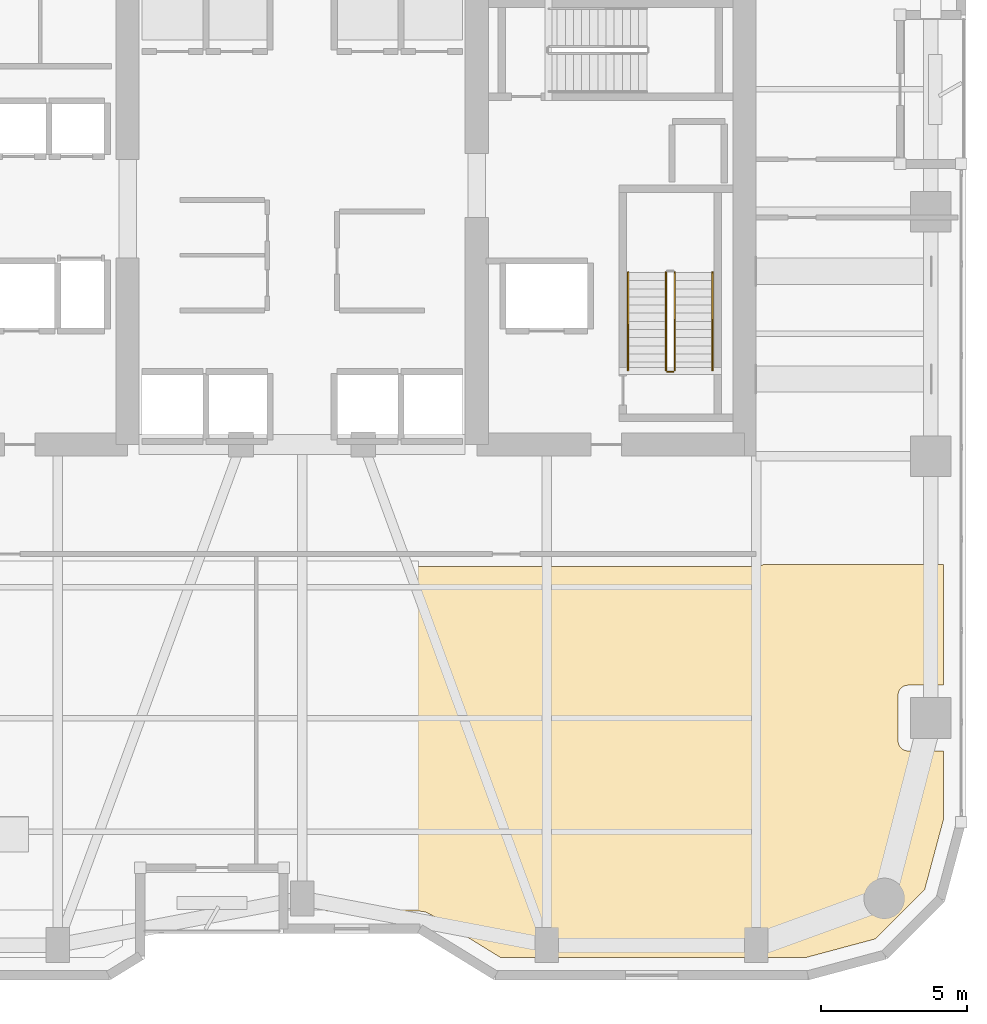
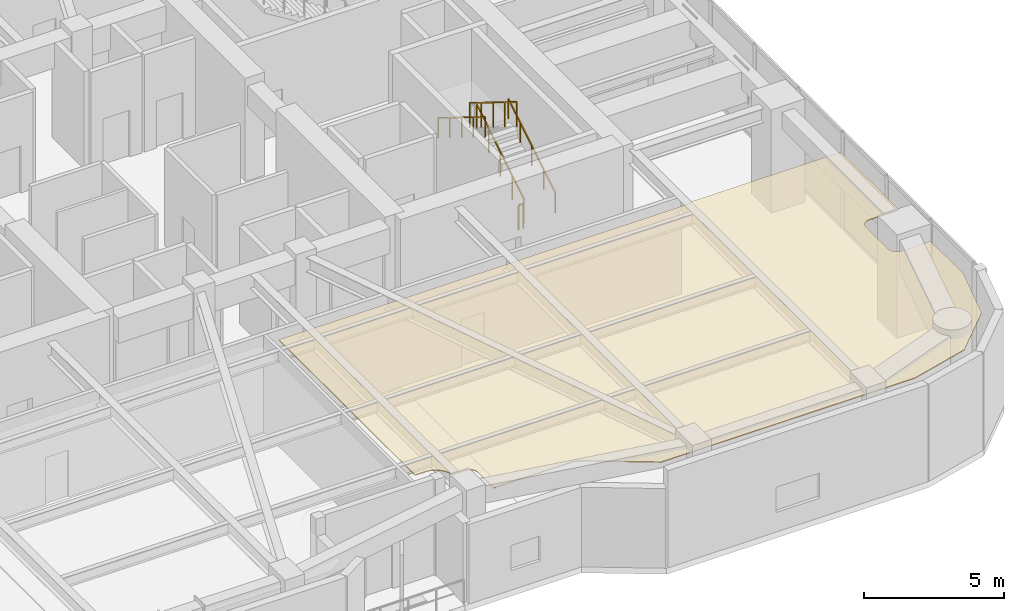
# One storey, part 20 of 23: 5 railings, 1 covering.
"""IFC4 building model written with IfcOpenShell, lengths in metres."""

from ifc_helpers import new_model, si_unit, direction, frame, origin, origin_2d, place, context, subcontext, project, spatial, polyline, rectangle, outline, extrude, material, layer, layer_set, type_object, element, save


model = new_model("IFC4")

# Units and contexts
model_context = context("Model", 3, precision=1e-05, world=origin(), true_north=direction((0.0, 1.0)))
body_context = subcontext(model_context, "Body", "Model", "MODEL_VIEW")
ifc_project = project(units=[si_unit("LENGTHUNIT", "METRE"), si_unit("AREAUNIT", "SQUARE_METRE"), si_unit("VOLUMEUNIT", "CUBIC_METRE"), si_unit("PLANEANGLEUNIT", "RADIAN"), si_unit("MASSUNIT", "GRAM", prefix="KILO")], contexts=[model_context])

# Site, building, storey
site_placement = place(None, origin())
site = spatial("IfcSite", under=ifc_project, at=site_placement, CompositionType="ELEMENT")
building_placement = place(site_placement, origin())
building = spatial("IfcBuilding", under=site, at=building_placement, Name="Kiyonajd Concourse Tower", CompositionType="ELEMENT")
storey_placement = place(building_placement, frame((0.0, 0.0, 120.89990234375)))
storey = spatial("IfcBuildingStorey", under=building, at=storey_placement, Name="L31", CompositionType="ELEMENT", Elevation=120.89990234375)

# Covering
ifc_material_1 = material(Name="Natural Oak Acoustic Timber Veneer", Category="wood")
ifc_layer = layer(ifc_material_1, 0.0400390625)
ifc_layer_set = layer_set([ifc_layer], Name="Natural Oak Acoustic Timber Veneer")
covering_type = type_object("IfcCoveringType", Name="CV-CLG-ACST", PredefinedType="CEILING", material=ifc_layer_set)
covering_placement = place(storey_placement, frame((0.0, 0.0, 4.06005859375)))
element("IfcCovering", 1, at=covering_placement, inside=storey, type_object=covering_type, Name="L31-45 Room Acoustic Ceiling", PredefinedType="CEILING", context=body_context, shape_type="SweptSolid", body=[
    extrude(outline(polyline([(48.830078125, 11.969970703125), (48.827880859375, 13.114013671875), (48.802978515625, 13.214111328125), (48.77099609375, 13.27392578125), (48.72705078125, 13.326904296875), (48.674072265625, 13.37109375), (48.614013671875, 13.403076171875), (48.513916015625, 13.427978515625), (47.958984375, 13.429931640625), (47.94189453125, 13.507080078125), (47.907958984375, 13.60400390625), (47.85693359375, 13.699951171875), (47.784912109375, 13.801025390625), (47.73193359375, 13.85693359375), (47.658935546875, 13.9169921875), (47.551025390625, 13.985107421875), (47.47900390625, 14.01708984375), (47.406982421875, 14.0419921875), (47.2919921875, 14.06396484375), (46.7900390625, 14.069091796875), (46.7900390625, 23.800048828125), (63.60009765625, 23.800048828125), (63.72998046875, 23.820068359375), (63.79296875, 23.845947265625), (63.847900390625, 23.8798828125), (70.030029296875, 23.8798828125), (70.030029296875, 19.72998046875), (68.820068359375, 19.72998046875), (68.751953125, 19.722900390625), (68.68603515625, 19.702880859375), (68.6259765625, 19.6708984375), (68.549072265625, 19.60205078125), (68.510986328125, 19.544921875), (68.485107421875, 19.48193359375), (68.469970703125, 19.3798828125), (68.469970703125, 17.820068359375), (68.485107421875, 17.718017578125), (68.510986328125, 17.655029296875), (68.549072265625, 17.597900390625), (68.597900390625, 17.549072265625), (68.655029296875, 17.510986328125), (68.718017578125, 17.485107421875), (68.785888671875, 17.471923828125), (70.030029296875, 17.469970703125), (70.030029296875, 15.10107421875), (69.385986328125, 12.697998046875), (67.701904296875, 11.013916015625), (65.299072265625, 10.3701171875), (54.818115234375, 10.3701171875), (52.403076171875, 11.85595703125), (52.277099609375, 11.9189453125), (52.173095703125, 11.949951171875), (52.0, 11.969970703125), (48.830078125, 11.969970703125)])), origin(), (0.0, 0.0, 1.0), 0.0400390625),
])

# Railings
ifc_material_2 = material(Name="Steel ASTM A500 Grade C", Category="steel")
railing_type_1 = type_object("IfcRailingType", Name="RL-GRD-STR", PredefinedType="GUARDRAIL", material=ifc_material_2)
railing_1_placement = place(storey_placement, frame((60.800048828125, 30.550048828125, 0.173095703125)))
element("IfcRailing", 2, at=railing_1_placement, inside=storey, type_object=railing_type_1, Name="L31 ST2 stair guard 1", PredefinedType="GUARDRAIL", context=body_context, shape_type="SweptSolid", body=[
    extrude(rectangle(XDim=0.048095703125, YDim=0.048095703125, at=origin_2d()), frame((0.0, 0.0, 1.076171875), z_axis=(0.0, 0.850606129759, 0.525803396734), x_axis=(-1.0, 0.0, 0.0)), (0.0, 0.0, 1.0), 3.949951171875),
    extrude(rectangle(XDim=0.0419921875, YDim=0.0419921875, at=origin_2d()), origin(), (0.0, 0.0, 1.0), 1.052001953125),
    extrude(rectangle(XDim=0.0419921875, YDim=0.0419921875, at=origin_2d()), frame((0.0, 0.83984375, 0.519287109375)), (0.0, 0.0, 1.0), 1.052001953125),
    extrude(rectangle(XDim=0.0419921875, YDim=0.0419921875, at=origin_2d()), frame((0.0, 1.679931640625, 1.03857421875)), (0.0, 0.0, 1.0), 1.052001953125),
    extrude(rectangle(XDim=0.0419921875, YDim=0.0419921875, at=origin_2d()), frame((0.0, 2.52001953125, 1.5576171875)), (0.0, 0.0, 1.0), 1.052001953125),
    extrude(rectangle(XDim=0.0419921875, YDim=0.0419921875, at=origin_2d()), frame((0.0, 3.35986328125, 2.076904296875)), (0.0, 0.0, 1.0), 1.052001953125),
])
railing_2_placement = place(storey_placement, frame((60.5, 33.909912109375, 2.423095703125)))
element("IfcRailing", 3, at=railing_2_placement, inside=storey, type_object=railing_type_1, Name="L31 ST2 stair guard 3", PredefinedType="GUARDRAIL", context=body_context, shape_type="SweptSolid", body=[
    extrude(rectangle(XDim=0.048095703125, YDim=0.048095703125, at=origin_2d()), frame((0.0, 0.0, 1.076171875), z_axis=(0.0, -0.850606129759, 0.525803396734), x_axis=(1.0, 0.0, 0.0)), (0.0, 0.0, 1.0), 3.949951171875),
    extrude(rectangle(XDim=0.0419921875, YDim=0.0419921875, at=origin_2d()), origin(), (0.0, 0.0, 1.0), 1.052001953125),
    extrude(rectangle(XDim=0.0419921875, YDim=0.0419921875, at=origin_2d()), frame((0.0, -0.83984375, 0.519287109375)), (0.0, 0.0, 1.0), 1.052001953125),
    extrude(rectangle(XDim=0.0419921875, YDim=0.0419921875, at=origin_2d()), frame((0.0, -1.679931640625, 1.03857421875)), (0.0, 0.0, 1.0), 1.052001953125),
    extrude(rectangle(XDim=0.0419921875, YDim=0.0419921875, at=origin_2d()), frame((0.0, -2.52001953125, 1.5576171875)), (0.0, 0.0, 1.0), 1.052001953125),
    extrude(rectangle(XDim=0.0419921875, YDim=0.0419921875, at=origin_2d()), frame((0.0, -3.35986328125, 2.076904296875)), (0.0, 0.0, 1.0), 1.052001953125),
])
railing_3_placement = place(storey_placement, frame((60.75, 30.5, 0.0)))
element("IfcRailing", 4, at=railing_3_placement, inside=storey, type_object=railing_type_1, Name="L31 ST2 stair guard 4", PredefinedType="GUARDRAIL", context=body_context, shape_type="SweptSolid", body=[
    extrude(rectangle(XDim=0.048095703125, YDim=0.048095703125, at=origin_2d()), frame((0.0, 0.0, 1.076171875), z_axis=(-1.0, 0.0, 0.0), x_axis=(0.0, -1.0, 0.0)), (0.0, 0.0, 1.0), 0.199951171875),
    extrude(rectangle(XDim=0.0419921875, YDim=0.0419921875, at=origin_2d()), origin(), (0.0, 0.0, 1.0), 1.052001953125),
    extrude(rectangle(XDim=0.0419921875, YDim=0.0419921875, at=origin_2d()), frame((-0.199951171875, 0.0, 0.0)), (0.0, 0.0, 1.0), 1.052001953125),
])
ifc_material_3 = material(Name="Brushed Stainless Steel Cab Assembly", Category="steel")
railing_type_2 = type_object("IfcRailingType", Name="RL-HND-900", PredefinedType="HANDRAIL", material=ifc_material_3)
railing_4_placement = place(storey_placement, frame((62.10009765625, 30.550048828125, 0.173095703125)))
element("IfcRailing", 5, at=railing_4_placement, inside=storey, type_object=railing_type_2, Name="L31 ST2 stair handrail 1", PredefinedType="HANDRAIL", context=body_context, shape_type="SweptSolid", body=[
    extrude(rectangle(XDim=0.048095703125, YDim=0.048095703125, at=origin_2d()), frame((0.0, 0.0, 0.8759765625), z_axis=(0.0, 0.850606129759, 0.525803396734), x_axis=(-1.0, 0.0, 0.0)), (0.0, 0.0, 1.0), 3.949951171875),
    extrude(rectangle(XDim=0.0419921875, YDim=0.0419921875, at=origin_2d()), origin(), (0.0, 0.0, 1.0), 0.851806640625),
    extrude(rectangle(XDim=0.0419921875, YDim=0.0419921875, at=origin_2d()), frame((0.0, 0.83984375, 0.519287109375)), (0.0, 0.0, 1.0), 0.851806640625),
    extrude(rectangle(XDim=0.0419921875, YDim=0.0419921875, at=origin_2d()), frame((0.0, 1.679931640625, 1.03857421875)), (0.0, 0.0, 1.0), 0.851806640625),
    extrude(rectangle(XDim=0.0419921875, YDim=0.0419921875, at=origin_2d()), frame((0.0, 2.52001953125, 1.5576171875)), (0.0, 0.0, 1.0), 0.851806640625),
    extrude(rectangle(XDim=0.0419921875, YDim=0.0419921875, at=origin_2d()), frame((0.0, 3.35986328125, 2.076904296875)), (0.0, 0.0, 1.0), 0.851806640625),
])
railing_5_placement = place(storey_placement, frame((59.199951171875, 33.909912109375, 2.423095703125)))
element("IfcRailing", 6, at=railing_5_placement, inside=storey, type_object=railing_type_2, Name="L31 ST2 stair handrail 2", PredefinedType="HANDRAIL", context=body_context, shape_type="SweptSolid", body=[
    extrude(rectangle(XDim=0.048095703125, YDim=0.048095703125, at=origin_2d()), frame((0.0, 0.0, 0.8759765625), z_axis=(0.0, -0.850606129759, 0.525803396734), x_axis=(1.0, 0.0, 0.0)), (0.0, 0.0, 1.0), 3.949951171875),
    extrude(rectangle(XDim=0.0419921875, YDim=0.0419921875, at=origin_2d()), origin(), (0.0, 0.0, 1.0), 0.851806640625),
    extrude(rectangle(XDim=0.0419921875, YDim=0.0419921875, at=origin_2d()), frame((0.0, -0.83984375, 0.519287109375)), (0.0, 0.0, 1.0), 0.851806640625),
    extrude(rectangle(XDim=0.0419921875, YDim=0.0419921875, at=origin_2d()), frame((0.0, -1.679931640625, 1.03857421875)), (0.0, 0.0, 1.0), 0.851806640625),
    extrude(rectangle(XDim=0.0419921875, YDim=0.0419921875, at=origin_2d()), frame((0.0, -2.52001953125, 1.5576171875)), (0.0, 0.0, 1.0), 0.851806640625),
    extrude(rectangle(XDim=0.0419921875, YDim=0.0419921875, at=origin_2d()), frame((0.0, -3.35986328125, 2.076904296875)), (0.0, 0.0, 1.0), 0.851806640625),
])

save(model, "model.ifc")
